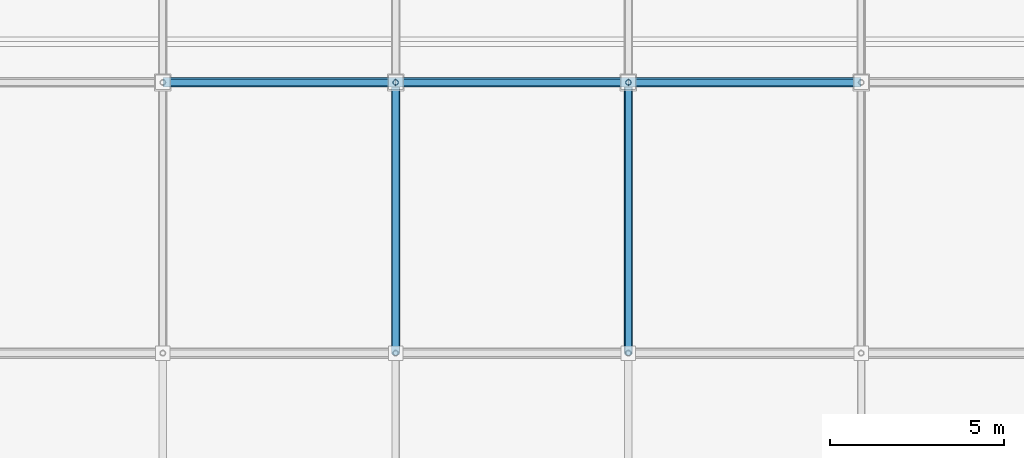
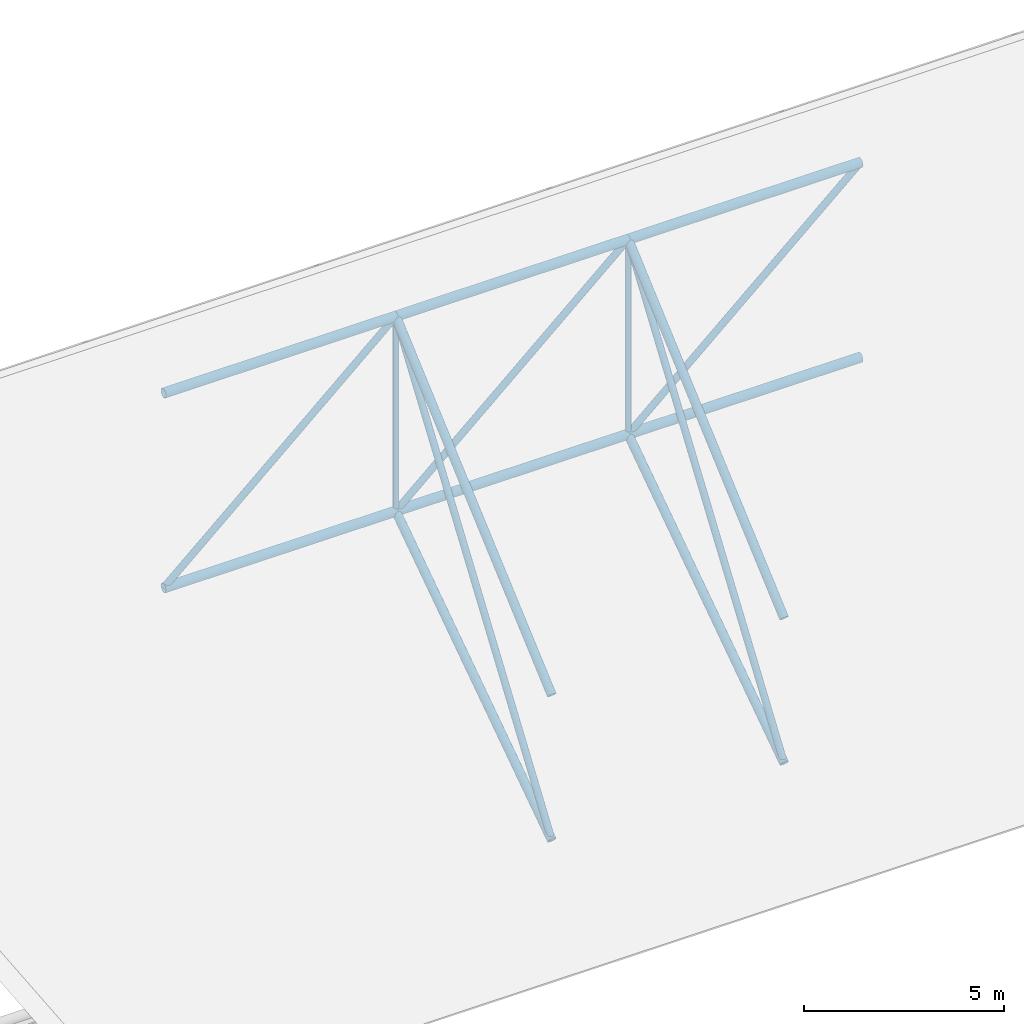
# One storey, part 28 of 77: 17 members.
"""IFC4 building model written with IfcOpenShell, lengths in metres."""

from ifc_helpers import new_model, si_unit, direction, frame, origin, origin_2d, place, context, subcontext, project, spatial, hollow_circle, extrude, material, material_profile, profile_set, type_object, element, save


model = new_model("IFC4")

# Units and contexts
model_context = context("Model", 3, precision=1e-05, world=origin(), true_north=direction((0.0, 1.0)))
body_context = subcontext(model_context, "Body", "Model", "MODEL_VIEW")
ifc_project = project(units=[si_unit("LENGTHUNIT", "METRE"), si_unit("AREAUNIT", "SQUARE_METRE"), si_unit("VOLUMEUNIT", "CUBIC_METRE"), si_unit("PLANEANGLEUNIT", "RADIAN"), si_unit("MASSUNIT", "GRAM", prefix="KILO")], contexts=[model_context])

# Site, building, storey
site_placement = place(None, origin())
site = spatial("IfcSite", under=ifc_project, at=site_placement, CompositionType="ELEMENT")
building_placement = place(site_placement, origin())
building = spatial("IfcBuilding", under=site, at=building_placement, Name="Nabrawat Pavilion Hospital", CompositionType="ELEMENT")
storey_placement = place(building_placement, frame((0.0, 0.0, 14.85009765625)))
storey = spatial("IfcBuildingStorey", under=building, at=storey_placement, Name="L03", CompositionType="ELEMENT", Elevation=14.85009765625)

# Members
ifc_material = material(Name="Steel S355", Category="steel")
ifc_material_profile_1 = material_profile(ifc_material, hollow_circle(Radius=0.136474609375, WallThickness=0.012451171875, at=origin_2d()), Name="CHS 273x12.5")
ifc_profile_set_1 = profile_set([ifc_material_profile_1], Name="Steel S355")
member_type_1 = type_object("IfcMemberType", Name="Space Frame Primary Chord CHS 273x12.5", PredefinedType="CHORD", material=ifc_profile_set_1)
for number, where, z_axis, x_axis, name in (
    (1, (79.0439453125, 23.39990234375, 11.2099609375), (1.0, 0.0, 0.0), (0.0, 1.0, 0.0), "Space Frame Chord Top X 0083"),
    (2, (79.0439453125, 23.39990234375, 5.260498046875), (1.0, 0.0, 0.0), (0.0, 1.0, 0.0), "Space Frame Chord Bottom X 0084"),
    (3, (85.751953125, 23.39990234375, 11.2099609375), (1.0, 0.0, 0.0), (0.0, 1.0, 0.0), "Space Frame Chord Top X 0108"),
    (4, (85.751953125, 23.39990234375, 5.260498046875), (1.0, 0.0, 0.0), (0.0, 1.0, 0.0), "Space Frame Chord Bottom X 0109"),
    (5, (92.4599609375, 23.39990234375, 11.2099609375), (1.0, 0.0, 0.0), (0.0, 1.0, 0.0), "Space Frame Chord Top X 0133"),
    (6, (92.4599609375, 23.39990234375, 5.260498046875), (1.0, 0.0, 0.0), (0.0, 1.0, 0.0), "Space Frame Chord Bottom X 0134"),
):
    element("IfcMember", number, at=place(storey_placement, frame(where, z_axis=z_axis, x_axis=x_axis)), inside=storey, type_object=member_type_1, Name=name, PredefinedType="CHORD", context=body_context, shape_type="SweptSolid", body=[
        extrude(hollow_circle(Radius=0.136474609375, WallThickness=0.012451171875, at=origin_2d()), origin(), (0.0, 0.0, 1.0), 6.7080078125),
    ])
ifc_material_profile_2 = material_profile(ifc_material, hollow_circle(Radius=0.096923828125, WallThickness=0.010009765625, at=origin_2d()), Name="CHS 193.7x10")
ifc_profile_set_2 = profile_set([ifc_material_profile_2], Name="Steel S355")
member_type_2 = type_object("IfcMemberType", Name="Space Frame Primary Diagonal CHS 193.7x10", PredefinedType="BRACE", material=ifc_profile_set_2)
member_1_placement = place(storey_placement, frame((79.0439453125, 23.39990234375, 5.260498046875), z_axis=(0.748140477109, 0.0, 0.663540372932), x_axis=(0.0, 1.0, 0.0)))
element("IfcMember", 7, at=member_1_placement, inside=storey, type_object=member_type_2, Name="Space Frame Diagonal Web X 0088", PredefinedType="BRACE", context=body_context, shape_type="SweptSolid", body=[
    extrude(hollow_circle(Radius=0.096923828125, WallThickness=0.010009765625, at=origin_2d()), origin(), (0.0, 0.0, 1.0), 8.96630859375),
])
member_2_placement = place(storey_placement, frame((85.751953125, 15.60009765625, -0.050048828125), z_axis=(0.0, 0.569427763017, 0.8220413753), x_axis=(-1.0, 0.0, 0.0)))
element("IfcMember", 8, at=member_2_placement, inside=storey, type_object=member_type_2, Name="Space Frame Diagonal Web Y 0107", PredefinedType="BRACE", context=body_context, shape_type="SweptSolid", body=[
    extrude(hollow_circle(Radius=0.096923828125, WallThickness=0.010009765625, at=origin_2d()), origin(), (0.0, 0.0, 1.0), 13.697509765625),
])
member_3_placement = place(storey_placement, frame((85.751953125, 23.39990234375, 5.260498046875), z_axis=(0.748140477109, 0.0, 0.663540372932), x_axis=(0.0, 1.0, 0.0)))
element("IfcMember", 9, at=member_3_placement, inside=storey, type_object=member_type_2, Name="Space Frame Diagonal Web X 0113", PredefinedType="BRACE", context=body_context, shape_type="SweptSolid", body=[
    extrude(hollow_circle(Radius=0.096923828125, WallThickness=0.010009765625, at=origin_2d()), origin(), (0.0, 0.0, 1.0), 8.96630859375),
])
member_4_placement = place(storey_placement, frame((92.4599609375, 15.60009765625, -0.050048828125), z_axis=(0.0, 0.569427763017, 0.8220413753), x_axis=(-1.0, 0.0, 0.0)))
element("IfcMember", 10, at=member_4_placement, inside=storey, type_object=member_type_2, Name="Space Frame Diagonal Web Y 0132", PredefinedType="BRACE", context=body_context, shape_type="SweptSolid", body=[
    extrude(hollow_circle(Radius=0.096923828125, WallThickness=0.010009765625, at=origin_2d()), origin(), (0.0, 0.0, 1.0), 13.697509765625),
])
member_5_placement = place(storey_placement, frame((92.4599609375, 23.39990234375, 5.260498046875), z_axis=(0.748140477109, 0.0, 0.663540372932), x_axis=(0.0, 1.0, 0.0)))
element("IfcMember", 11, at=member_5_placement, inside=storey, type_object=member_type_2, Name="Space Frame Diagonal Web X 0138", PredefinedType="BRACE", context=body_context, shape_type="SweptSolid", body=[
    extrude(hollow_circle(Radius=0.096923828125, WallThickness=0.010009765625, at=origin_2d()), origin(), (0.0, 0.0, 1.0), 8.96630859375),
])
ifc_material_profile_3 = material_profile(ifc_material, hollow_circle(Radius=0.122314453125, WallThickness=0.012451171875, at=origin_2d()), Name="CHS 244.5x12.5")
ifc_profile_set_3 = profile_set([ifc_material_profile_3], Name="Steel S355")
member_type_3 = type_object("IfcMemberType", Name="Space Frame Transverse Chord CHS 244.5x12.5", PredefinedType="CHORD", material=ifc_profile_set_3)
member_6_placement = place(storey_placement, frame((85.751953125, 15.60009765625, 4.373046875), z_axis=(0.0, 0.751998989984, 0.659164258029), x_axis=(-1.0, 0.0, 0.0)))
element("IfcMember", 12, at=member_6_placement, inside=storey, type_object=member_type_3, Name="Space Frame Chord Top Y 0103", PredefinedType="CHORD", context=body_context, shape_type="SweptSolid", body=[
    extrude(hollow_circle(Radius=0.122314453125, WallThickness=0.012451171875, at=origin_2d()), origin(), (0.0, 0.0, 1.0), 10.3720703125),
])
member_7_placement = place(storey_placement, frame((85.751953125, 15.60009765625, -0.050048828125), z_axis=(0.0, 0.826597198855, 0.562793986149), x_axis=(-1.0, 0.0, 0.0)))
element("IfcMember", 13, at=member_7_placement, inside=storey, type_object=member_type_3, Name="Space Frame Chord Bottom Y 0104", PredefinedType="CHORD", context=body_context, shape_type="SweptSolid", body=[
    extrude(hollow_circle(Radius=0.122314453125, WallThickness=0.012451171875, at=origin_2d()), origin(), (0.0, 0.0, 1.0), 9.43603515625),
])
member_8_placement = place(storey_placement, frame((92.4599609375, 15.60009765625, 4.373046875), z_axis=(0.0, 0.751998989984, 0.659164258029), x_axis=(-1.0, 0.0, 0.0)))
element("IfcMember", 14, at=member_8_placement, inside=storey, type_object=member_type_3, Name="Space Frame Chord Top Y 0128", PredefinedType="CHORD", context=body_context, shape_type="SweptSolid", body=[
    extrude(hollow_circle(Radius=0.122314453125, WallThickness=0.012451171875, at=origin_2d()), origin(), (0.0, 0.0, 1.0), 10.3720703125),
])
member_9_placement = place(storey_placement, frame((92.4599609375, 15.60009765625, -0.050048828125), z_axis=(0.0, 0.826597198855, 0.562793986149), x_axis=(-1.0, 0.0, 0.0)))
element("IfcMember", 15, at=member_9_placement, inside=storey, type_object=member_type_3, Name="Space Frame Chord Bottom Y 0129", PredefinedType="CHORD", context=body_context, shape_type="SweptSolid", body=[
    extrude(hollow_circle(Radius=0.122314453125, WallThickness=0.012451171875, at=origin_2d()), origin(), (0.0, 0.0, 1.0), 9.43603515625),
])
ifc_material_profile_4 = material_profile(ifc_material, hollow_circle(Radius=0.07958984375, WallThickness=0.008056640625, at=origin_2d()), Name="CHS 159x8")
ifc_profile_set_4 = profile_set([ifc_material_profile_4], Name="Steel S355")
member_type_4 = type_object("IfcMemberType", Name="Space Frame Vertical Web Post CHS 159x8", PredefinedType="BRACE", material=ifc_profile_set_4)
for number, where, z_axis, x_axis, name in (
    (16, (85.751953125, 23.39990234375, 5.260498046875), (0.0, 0.0, 1.0), (1.0, 0.0, 0.0), "Space Frame Diagonal Post 0112"),
    (17, (92.4599609375, 23.39990234375, 5.260498046875), (0.0, 0.0, 1.0), (1.0, 0.0, 0.0), "Space Frame Diagonal Post 0137"),
):
    element("IfcMember", number, at=place(storey_placement, frame(where, z_axis=z_axis, x_axis=x_axis)), inside=storey, type_object=member_type_4, Name=name, PredefinedType="BRACE", context=body_context, shape_type="SweptSolid", body=[
        extrude(hollow_circle(Radius=0.07958984375, WallThickness=0.008056640625, at=origin_2d()), origin(), (0.0, 0.0, 1.0), 5.949462890625),
    ])

save(model, "model.ifc")
